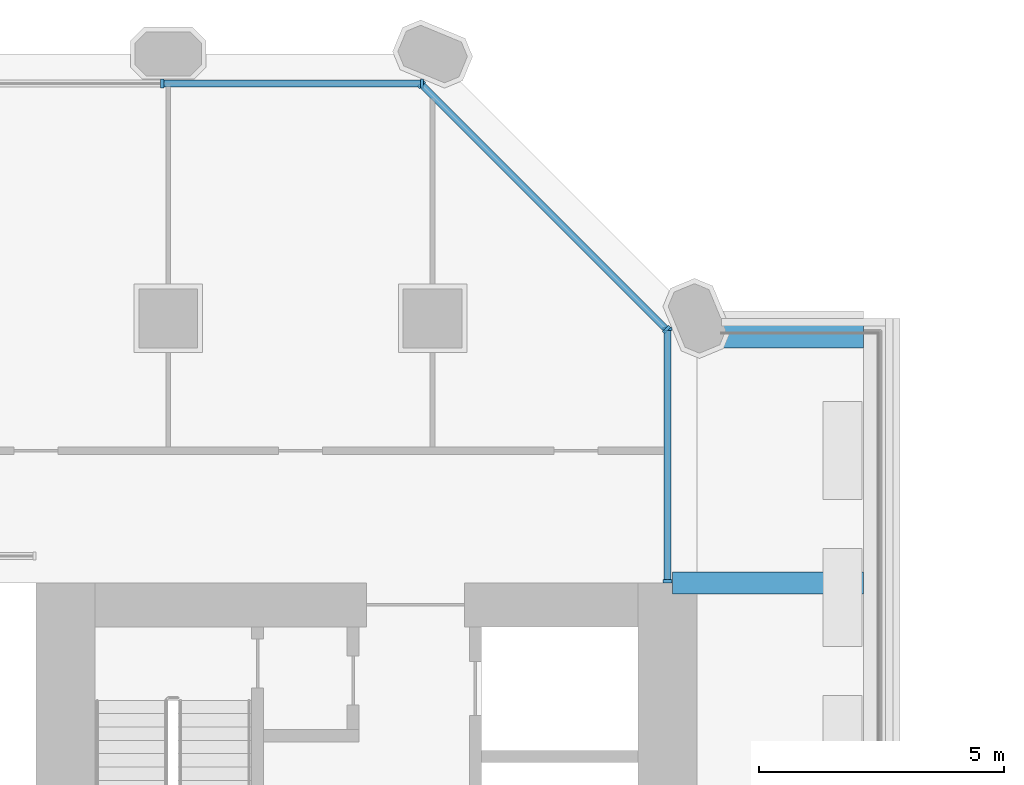
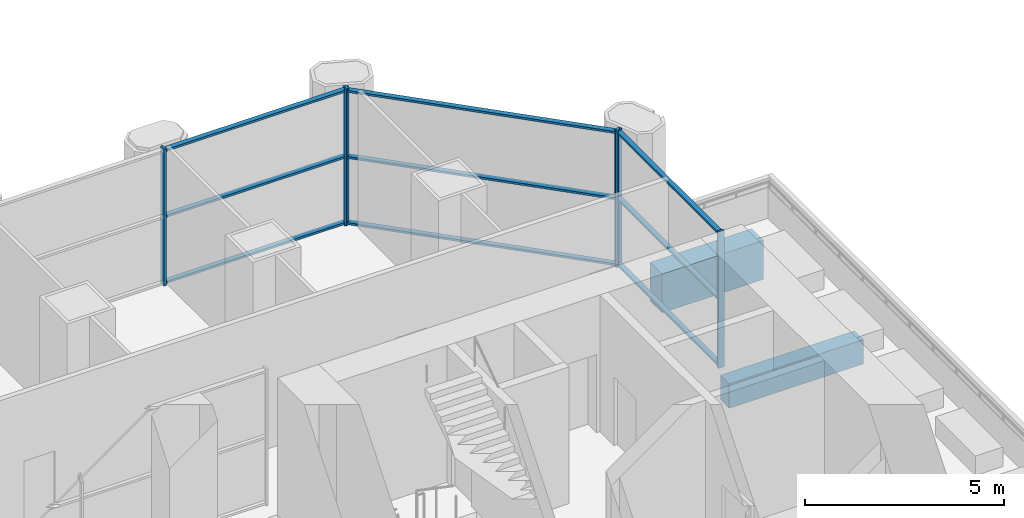
# One storey, part 9 of 23: 15 members, 2 beams, 3 elements without a shape of their own.
"""IFC4 building model written with IfcOpenShell, lengths in metres."""

from ifc_helpers import new_model, si_unit, direction, frame, origin, origin_2d, place, context, subcontext, project, spatial, rectangle, extrude, material, material_profile, profile_set, type_object, element, aggregate, save


model = new_model("IFC4")

# Units and contexts
model_context = context("Model", 3, precision=1e-05, world=origin(), true_north=direction((0.0, 1.0)))
body_context = subcontext(model_context, "Body", "Model", "MODEL_VIEW")
ifc_project = project(units=[si_unit("LENGTHUNIT", "METRE"), si_unit("AREAUNIT", "SQUARE_METRE"), si_unit("VOLUMEUNIT", "CUBIC_METRE"), si_unit("PLANEANGLEUNIT", "RADIAN"), si_unit("MASSUNIT", "GRAM", prefix="KILO")], contexts=[model_context])

# Site, building, storey
site_placement = place(None, origin())
site = spatial("IfcSite", under=ifc_project, at=site_placement, CompositionType="ELEMENT")
building_placement = place(site_placement, origin())
building = spatial("IfcBuilding", under=site, at=building_placement, Name="Tabaq Tower and Sports Hall", CompositionType="ELEMENT")
storey_placement = place(building_placement, frame((0.0, 0.0, 29.10009765625)))
storey = spatial("IfcBuildingStorey", under=building, at=storey_placement, Name="L05", CompositionType="ELEMENT", Elevation=29.10009765625)

# Curtain wall, members
ifc_material_1 = material(Name="Aluminium alloy 6063-T6 framed glazing", Category="aluminium")
curtain_wall_type = type_object("IfcCurtainWallType", Name="CW7 curtain wall", PredefinedType="USERDEFINED", material=ifc_material_1)
curtain_wall_1_placement = place(storey_placement, origin())
curtain_wall_1 = element("IfcCurtainWall", 1, at=curtain_wall_1_placement, inside=storey, type_object=curtain_wall_type, Name="Podium Wall L05 E", ObjectType="PODIUM WALL", PredefinedType="USERDEFINED")
ifc_material_2 = material(Name="Aluminium alloy 6063-T6", Category="aluminium")
ifc_material_profile_1 = material_profile(ifc_material_2, rectangle(XDim=0.179931640625, YDim=0.06494140625, at=origin_2d()), Name="MULLION 180x65")
ifc_profile_set_1 = profile_set([ifc_material_profile_1], Name="Aluminium alloy 6063-T6")
member_type_1 = type_object("IfcMemberType", Name="CW7 mullion 180x65", PredefinedType="MULLION", material=ifc_profile_set_1)
member_1_placement = place(storey_placement, frame((42.60009765625, 32.4326171875, 0.0), z_axis=(0.0, 0.0, 1.0), x_axis=(-1.0, 0.0, 0.0)))
member_1 = element("IfcMember", 2, at=member_1_placement, type_object=member_type_1, Name="CW7 mullion 1", PredefinedType="MULLION", context=body_context, shape_type="SweptSolid", body=[
    extrude(rectangle(XDim=0.179931640625, YDim=0.06494140625, at=origin_2d()), origin(), (0.0, 0.0, 1.0), 4.199951171875),
])
member_2_placement = place(storey_placement, frame((42.60009765625, 37.5810546875, 0.0), z_axis=(0.0, 0.0, 1.0), x_axis=(-1.0, 0.0, 0.0)))
member_2 = element("IfcMember", 3, at=member_2_placement, type_object=member_type_1, Name="CW7 mullion 2", PredefinedType="MULLION", context=body_context, shape_type="SweptSolid", body=[
    extrude(rectangle(XDim=0.179931640625, YDim=0.06494140625, at=origin_2d()), origin(), (0.0, 0.0, 1.0), 4.199951171875),
])

curtain_wall_2_placement = place(storey_placement, origin())
curtain_wall_2 = element("IfcCurtainWall", 4, at=curtain_wall_2_placement, inside=storey, type_object=curtain_wall_type, Name="Podium Wall L05 NE", ObjectType="PODIUM WALL", PredefinedType="USERDEFINED")
member_3_placement = place(storey_placement, frame((42.576904296875, 37.574462890625, 0.0), z_axis=(0.0, 0.0, 1.0), x_axis=(-0.707106781187, -0.707106781187, 0.0)))
member_3 = element("IfcMember", 5, at=member_3_placement, type_object=member_type_1, Name="CW7 mullion 1", PredefinedType="MULLION", context=body_context, shape_type="SweptSolid", body=[
    extrude(rectangle(XDim=0.179931640625, YDim=0.06494140625, at=origin_2d()), origin(), (0.0, 0.0, 1.0), 4.199951171875),
])
member_4_placement = place(storey_placement, frame((37.574462890625, 42.576904296875, 0.0), z_axis=(0.0, 0.0, 1.0), x_axis=(-0.707106781187, -0.707106781187, 0.0)))
member_4 = element("IfcMember", 6, at=member_4_placement, type_object=member_type_1, Name="CW7 mullion 2", PredefinedType="MULLION", context=body_context, shape_type="SweptSolid", body=[
    extrude(rectangle(XDim=0.179931640625, YDim=0.06494140625, at=origin_2d()), origin(), (0.0, 0.0, 1.0), 4.199951171875),
])

curtain_wall_3_placement = place(storey_placement, origin())
curtain_wall_3 = element("IfcCurtainWall", 7, at=curtain_wall_3_placement, inside=storey, type_object=curtain_wall_type, Name="Podium Wall L05 N", ObjectType="PODIUM WALL", PredefinedType="USERDEFINED")
member_5_placement = place(storey_placement, frame((37.5810546875, 42.60009765625, 0.0), z_axis=(0.0, 0.0, 1.0), x_axis=(0.0, -1.0, 0.0)))
member_5 = element("IfcMember", 8, at=member_5_placement, type_object=member_type_1, Name="CW7 mullion 1", PredefinedType="MULLION", context=body_context, shape_type="SweptSolid", body=[
    extrude(rectangle(XDim=0.179931640625, YDim=0.06494140625, at=origin_2d()), origin(), (0.0, 0.0, 1.0), 4.199951171875),
])
member_6_placement = place(storey_placement, frame((32.275634765625, 42.60009765625, 0.0), z_axis=(0.0, 0.0, 1.0), x_axis=(0.0, -1.0, 0.0)))
member_6 = element("IfcMember", 9, at=member_6_placement, type_object=member_type_1, Name="CW7 mullion 2", PredefinedType="MULLION", context=body_context, shape_type="SweptSolid", body=[
    extrude(rectangle(XDim=0.179931640625, YDim=0.06494140625, at=origin_2d()), origin(), (0.0, 0.0, 1.0), 4.199951171875),
])

# Member
ifc_material_3 = material(Name="Aluminium alloy 6063-T6", Category="aluminium")
ifc_material_profile_2 = material_profile(ifc_material_3, rectangle(XDim=0.139892578125, YDim=0.06494140625, at=origin_2d()), Name="TRANSOM 140x65")
ifc_profile_set_2 = profile_set([ifc_material_profile_2], Name="Aluminium alloy 6063-T6")
member_type_2 = type_object("IfcMemberType", Name="CW7 transom 140x65", PredefinedType="USERDEFINED", material=ifc_profile_set_2)
member_7_placement = place(storey_placement, frame((42.60009765625, 32.465087890625, 0.06982421875), z_axis=(0.0, 1.0, 0.0), x_axis=(-1.0, 0.0, 0.0)))
member_7 = element("IfcMember", 10, at=member_7_placement, type_object=member_type_2, Name="CW7 transom 1.1", ObjectType="TRANSOM", PredefinedType="USERDEFINED", context=body_context, shape_type="SweptSolid", body=[
    extrude(rectangle(XDim=0.139892578125, YDim=0.06494140625, at=origin_2d()), origin(), (0.0, 0.0, 1.0), 5.08349609375),
])

member_8_placement = place(storey_placement, frame((42.60009765625, 32.465087890625, 2.099853515625), z_axis=(0.0, 1.0, 0.0), x_axis=(-1.0, 0.0, 0.0)))
member_8 = element("IfcMember", 11, at=member_8_placement, type_object=member_type_2, Name="CW7 transom 1.2", ObjectType="TRANSOM", PredefinedType="USERDEFINED", context=body_context, shape_type="SweptSolid", body=[
    extrude(rectangle(XDim=0.139892578125, YDim=0.06494140625, at=origin_2d()), origin(), (0.0, 0.0, 1.0), 5.08349609375),
])

member_9_placement = place(storey_placement, frame((42.60009765625, 32.465087890625, 4.1298828125), z_axis=(0.0, 1.0, 0.0), x_axis=(-1.0, 0.0, 0.0)))
member_9 = element("IfcMember", 12, at=member_9_placement, type_object=member_type_2, Name="CW7 transom 1.3", ObjectType="TRANSOM", PredefinedType="USERDEFINED", context=body_context, shape_type="SweptSolid", body=[
    extrude(rectangle(XDim=0.139892578125, YDim=0.06494140625, at=origin_2d()), origin(), (0.0, 0.0, 1.0), 5.08349609375),
])

aggregate(curtain_wall_1, [member_1, member_2, member_7, member_8, member_9])

member_10_placement = place(storey_placement, frame((42.553955078125, 37.597412109375, 0.06982421875), z_axis=(-0.707106781187, 0.707106781187, 0.0), x_axis=(-0.707106781187, -0.707106781187, 0.0)))
member_10 = element("IfcMember", 13, at=member_10_placement, type_object=member_type_2, Name="CW7 transom 1.1", ObjectType="TRANSOM", PredefinedType="USERDEFINED", context=body_context, shape_type="SweptSolid", body=[
    extrude(rectangle(XDim=0.139892578125, YDim=0.06494140625, at=origin_2d()), origin(), (0.0, 0.0, 1.0), 7.009521484375),
])

member_11_placement = place(storey_placement, frame((42.553955078125, 37.597412109375, 2.099853515625), z_axis=(-0.707106781187, 0.707106781187, 0.0), x_axis=(-0.707106781187, -0.707106781187, 0.0)))
member_11 = element("IfcMember", 14, at=member_11_placement, type_object=member_type_2, Name="CW7 transom 1.2", ObjectType="TRANSOM", PredefinedType="USERDEFINED", context=body_context, shape_type="SweptSolid", body=[
    extrude(rectangle(XDim=0.139892578125, YDim=0.06494140625, at=origin_2d()), origin(), (0.0, 0.0, 1.0), 7.009521484375),
])

member_12_placement = place(storey_placement, frame((42.553955078125, 37.597412109375, 4.1298828125), z_axis=(-0.707106781187, 0.707106781187, 0.0), x_axis=(-0.707106781187, -0.707106781187, 0.0)))
member_12 = element("IfcMember", 15, at=member_12_placement, type_object=member_type_2, Name="CW7 transom 1.3", ObjectType="TRANSOM", PredefinedType="USERDEFINED", context=body_context, shape_type="SweptSolid", body=[
    extrude(rectangle(XDim=0.139892578125, YDim=0.06494140625, at=origin_2d()), origin(), (0.0, 0.0, 1.0), 7.009521484375),
])

aggregate(curtain_wall_2, [member_3, member_4, member_10, member_11, member_12])

member_13_placement = place(storey_placement, frame((37.548583984375, 42.60009765625, 0.06982421875), z_axis=(-1.0, 0.0, 0.0), x_axis=(0.0, -1.0, 0.0)))
member_13 = element("IfcMember", 16, at=member_13_placement, type_object=member_type_2, Name="CW7 transom 1.1", ObjectType="TRANSOM", PredefinedType="USERDEFINED", context=body_context, shape_type="SweptSolid", body=[
    extrude(rectangle(XDim=0.139892578125, YDim=0.06494140625, at=origin_2d()), origin(), (0.0, 0.0, 1.0), 5.240234375),
])

member_14_placement = place(storey_placement, frame((37.548583984375, 42.60009765625, 2.099853515625), z_axis=(-1.0, 0.0, 0.0), x_axis=(0.0, -1.0, 0.0)))
member_14 = element("IfcMember", 17, at=member_14_placement, type_object=member_type_2, Name="CW7 transom 1.2", ObjectType="TRANSOM", PredefinedType="USERDEFINED", context=body_context, shape_type="SweptSolid", body=[
    extrude(rectangle(XDim=0.139892578125, YDim=0.06494140625, at=origin_2d()), origin(), (0.0, 0.0, 1.0), 5.240234375),
])

member_15_placement = place(storey_placement, frame((37.548583984375, 42.60009765625, 4.1298828125), z_axis=(-1.0, 0.0, 0.0), x_axis=(0.0, -1.0, 0.0)))
member_15 = element("IfcMember", 18, at=member_15_placement, type_object=member_type_2, Name="CW7 transom 1.3", ObjectType="TRANSOM", PredefinedType="USERDEFINED", context=body_context, shape_type="SweptSolid", body=[
    extrude(rectangle(XDim=0.139892578125, YDim=0.06494140625, at=origin_2d()), origin(), (0.0, 0.0, 1.0), 5.240234375),
])

aggregate(curtain_wall_3, [member_5, member_6, member_13, member_14, member_15])

# Beams
ifc_material_4 = material(Name="Concrete C40/50", Category="concrete")
ifc_material_profile_3 = material_profile(ifc_material_4, rectangle(XDim=0.60009765625, YDim=1.199951171875, at=origin_2d()), Name="EBT 600x1200")
ifc_profile_set_3 = profile_set([ifc_material_profile_3], Name="Concrete C40/50")
beam_type_1 = type_object("IfcBeamType", Name="Concrete C40/50 PT edge band EBT 600x1200", PredefinedType="BEAM", material=ifc_profile_set_3)
beam_1_placement = place(storey_placement, frame((43.64990234375, 37.5, -1.0), z_axis=(1.0, 0.0, 0.0), x_axis=(0.0, 1.0, 0.0)))
element("IfcBeam", 19, at=beam_1_placement, inside=storey, type_object=beam_type_1, Name="Tray edge band L05", PredefinedType="BEAM", context=body_context, shape_type="SweptSolid", body=[
    extrude(rectangle(XDim=0.60009765625, YDim=1.199951171875, at=origin_2d()), origin(), (0.0, 0.0, 1.0), 2.9501953125),
])
ifc_material_5 = material(Name="Concrete C40/50", Category="concrete")
ifc_material_profile_4 = material_profile(ifc_material_5, rectangle(XDim=0.449951171875, YDim=0.75, at=origin_2d()), Name="CB 450x750")
ifc_profile_set_4 = profile_set([ifc_material_profile_4], Name="Concrete C40/50")
beam_type_2 = type_object("IfcBeamType", Name="PT CANTILEVER BEAM CB 450x750 C40/50", PredefinedType="BEAM", material=ifc_profile_set_4)
beam_2_placement = place(storey_placement, frame((46.60009765625, 32.39990234375, -0.775146484375), z_axis=(-1.0, 0.0, 0.0), x_axis=(0.0, -1.0, 0.0)))
element("IfcBeam", 20, at=beam_2_placement, inside=storey, type_object=beam_type_2, Name="Tray Cantilever Beam L05 T5 span 1", PredefinedType="BEAM", context=body_context, shape_type="SweptSolid", body=[
    extrude(rectangle(XDim=0.449951171875, YDim=0.75, at=origin_2d()), origin(), (0.0, 0.0, 1.0), 3.900146484375),
])

save(model, "model.ifc")
